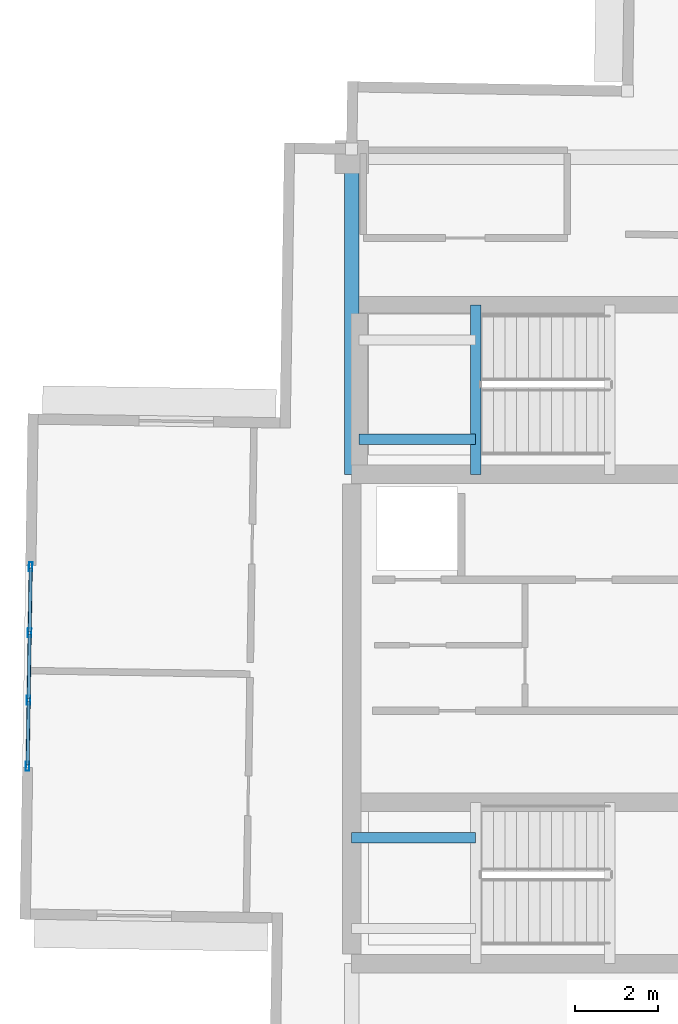
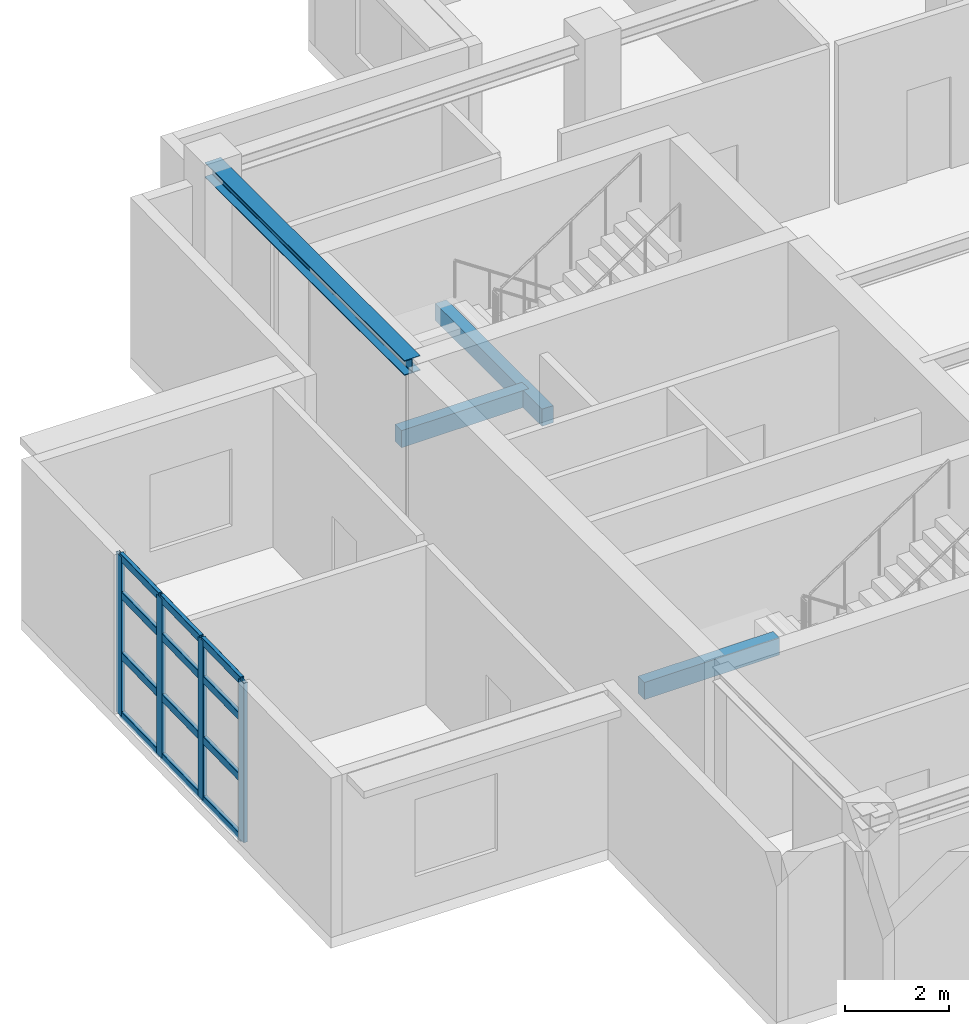
# One storey, part 4 of 15: 16 members, 4 beams, 1 element without a shape of its own.
"""IFC4 building model written with IfcOpenShell, lengths in metres."""

from ifc_helpers import new_model, si_unit, direction, frame, origin, origin_2d, place, context, subcontext, project, spatial, rectangle, hollow_rectangle, i_section, extrude, material, layer, layer_set, material_profile, profile_set, type_object, element, aggregate, save


model = new_model("IFC4")

# Units and contexts
model_context = context("Model", 3, precision=1e-05, world=origin(), true_north=direction((0.0, 1.0)))
body_context = subcontext(model_context, "Body", "Model", "MODEL_VIEW")
ifc_project = project(units=[si_unit("LENGTHUNIT", "METRE"), si_unit("AREAUNIT", "SQUARE_METRE"), si_unit("VOLUMEUNIT", "CUBIC_METRE"), si_unit("PLANEANGLEUNIT", "RADIAN"), si_unit("MASSUNIT", "GRAM", prefix="KILO")], contexts=[model_context])

# Site, building, storey
site_placement = place(None, origin())
site = spatial("IfcSite", under=ifc_project, at=site_placement, CompositionType="ELEMENT")
building_placement = place(site_placement, origin())
building = spatial("IfcBuilding", under=site, at=building_placement, Name="Qingluan Cross Belvedere", CompositionType="ELEMENT")
storey_placement = place(building_placement, frame((0.0, 0.0, 312.89990234375)))
storey = spatial("IfcBuildingStorey", under=building, at=storey_placement, Name="L77", CompositionType="ELEMENT", Elevation=312.89990234375)

# Curtain wall, members
ifc_material_1 = material(Name="Thermally broken aluminium and Low-E glass", Category="aluminium")
ifc_layer = layer(ifc_material_1, 0.219970703125, Name="ObservationCW_BelvedereDeck")
ifc_layer_set = layer_set([ifc_layer], Name="Thermally broken aluminium and Low-E glass")
curtain_wall_type = type_object("IfcCurtainWallType", Name="ObservationCW_BelvedereDeck", PredefinedType="USERDEFINED", material=ifc_layer_set)
curtain_wall_placement = place(storey_placement, origin())
curtain_wall = element("IfcCurtainWall", 1, at=curtain_wall_placement, inside=storey, type_object=curtain_wall_type, Name="ObservationCW_BelvedereDeck run env:cw:L77:W", ObjectType="OBSERVATION GLAZING WALL", PredefinedType="USERDEFINED")
ifc_material_2 = material(Name="Aluminium alloy 6063-T6", Category="aluminium")
ifc_material_profile_1 = material_profile(ifc_material_2, hollow_rectangle(XDim=0.0849609375, YDim=0.219970703125, WallThickness=0.0048828125, InnerFilletRadius=0.0048828125, OuterFilletRadius=0.010009765625, at=origin_2d()), Name="CWM220x85x5")
ifc_profile_set_1 = profile_set([ifc_material_profile_1], Name="Aluminium alloy 6063-T6")
member_type_1 = type_object("IfcMemberType", Name="CWMullion_220", PredefinedType="MULLION", material=ifc_profile_set_1)
member_1_placement = place(storey_placement, frame((-20.1396484375, 2.724609375, 0.0), z_axis=(0.0, 0.0, 1.0), x_axis=(0.999876596737, -0.015709592504, 0.0)))
member_1 = element("IfcMember", 2, at=member_1_placement, type_object=member_type_1, Name="CW-C3 mullion 1", PredefinedType="MULLION", context=body_context, shape_type="SweptSolid", body=[
    extrude(hollow_rectangle(XDim=0.0849609375, YDim=0.219970703125, WallThickness=0.0048828125, InnerFilletRadius=0.0048828125, OuterFilletRadius=0.010009765625, at=origin_2d()), origin(), (0.0, 0.0, 1.0), 3.72998046875),
])
member_2_placement = place(storey_placement, frame((-20.164794921875, 1.12939453125, 0.0), z_axis=(0.0, 0.0, 1.0), x_axis=(0.999876596737, -0.015709592504, 0.0)))
member_2 = element("IfcMember", 3, at=member_2_placement, type_object=member_type_1, Name="CW-C3 mullion 2", PredefinedType="MULLION", context=body_context, shape_type="SweptSolid", body=[
    extrude(hollow_rectangle(XDim=0.0849609375, YDim=0.219970703125, WallThickness=0.0048828125, InnerFilletRadius=0.0048828125, OuterFilletRadius=0.010009765625, at=origin_2d()), origin(), (0.0, 0.0, 1.0), 3.72998046875),
])
member_3_placement = place(storey_placement, frame((-20.190185546875, -0.49560546875, 0.0), z_axis=(0.0, 0.0, 1.0), x_axis=(0.999876596737, -0.015709592504, 0.0)))
member_3 = element("IfcMember", 4, at=member_3_placement, type_object=member_type_1, Name="CW-C3 mullion 3", PredefinedType="MULLION", context=body_context, shape_type="SweptSolid", body=[
    extrude(hollow_rectangle(XDim=0.0849609375, YDim=0.219970703125, WallThickness=0.0048828125, InnerFilletRadius=0.0048828125, OuterFilletRadius=0.010009765625, at=origin_2d()), origin(), (0.0, 0.0, 1.0), 3.72998046875),
])
member_4_placement = place(storey_placement, frame((-20.21533203125, -2.0908203125, 0.0), z_axis=(0.0, 0.0, 1.0), x_axis=(0.999876596737, -0.015709592504, 0.0)))
member_4 = element("IfcMember", 5, at=member_4_placement, type_object=member_type_1, Name="CW-C3 mullion 4", PredefinedType="MULLION", context=body_context, shape_type="SweptSolid", body=[
    extrude(hollow_rectangle(XDim=0.0849609375, YDim=0.219970703125, WallThickness=0.0048828125, InnerFilletRadius=0.0048828125, OuterFilletRadius=0.010009765625, at=origin_2d()), origin(), (0.0, 0.0, 1.0), 3.72998046875),
])
ifc_material_3 = material(Name="Aluminium alloy 6063-T6", Category="aluminium")
ifc_material_profile_2 = material_profile(ifc_material_3, hollow_rectangle(XDim=0.0849609375, YDim=0.179931640625, WallThickness=0.00390625, InnerFilletRadius=0.00390625, OuterFilletRadius=0.008056640625, at=origin_2d()), Name="CWT180x85x4")
ifc_profile_set_2 = profile_set([ifc_material_profile_2], Name="Aluminium alloy 6063-T6")
member_type_2 = type_object("IfcMemberType", Name="CWTransom_180", PredefinedType="USERDEFINED", material=ifc_profile_set_2)
member_5_placement = place(storey_placement, frame((-20.14013671875, 2.694580078125, 0.030029296875), z_axis=(-0.015742323809, -0.999876081943, 0.0), x_axis=(0.999876081943, -0.015742323809, 0.0)))
member_5 = element("IfcMember", 6, at=member_5_placement, type_object=member_type_2, Name="CW-C3 transom 1.1", ObjectType="TRANSOM", PredefinedType="USERDEFINED", context=body_context, shape_type="SweptSolid", body=[
    extrude(hollow_rectangle(XDim=0.0849609375, YDim=0.179931640625, WallThickness=0.00390625, InnerFilletRadius=0.00390625, OuterFilletRadius=0.008056640625, at=origin_2d()), origin(), (0.0, 0.0, 1.0), 1.535400390625),
])
member_6_placement = place(storey_placement, frame((-20.14013671875, 2.694580078125, 1.4169921875), z_axis=(-0.015742323809, -0.999876081943, 0.0), x_axis=(0.999876081943, -0.015742323809, 0.0)))
member_6 = element("IfcMember", 7, at=member_6_placement, type_object=member_type_2, Name="CW-C3 transom 1.2", ObjectType="TRANSOM", PredefinedType="USERDEFINED", context=body_context, shape_type="SweptSolid", body=[
    extrude(hollow_rectangle(XDim=0.0849609375, YDim=0.179931640625, WallThickness=0.00390625, InnerFilletRadius=0.00390625, OuterFilletRadius=0.008056640625, at=origin_2d()), origin(), (0.0, 0.0, 1.0), 1.535400390625),
])
member_7_placement = place(storey_placement, frame((-20.14013671875, 2.694580078125, 2.835205078125), z_axis=(-0.015742323809, -0.999876081943, 0.0), x_axis=(0.999876081943, -0.015742323809, 0.0)))
member_7 = element("IfcMember", 8, at=member_7_placement, type_object=member_type_2, Name="CW-C3 transom 1.3", ObjectType="TRANSOM", PredefinedType="USERDEFINED", context=body_context, shape_type="SweptSolid", body=[
    extrude(hollow_rectangle(XDim=0.0849609375, YDim=0.179931640625, WallThickness=0.00390625, InnerFilletRadius=0.00390625, OuterFilletRadius=0.008056640625, at=origin_2d()), origin(), (0.0, 0.0, 1.0), 1.535400390625),
])
member_8_placement = place(storey_placement, frame((-20.14013671875, 2.694580078125, 3.7001953125), z_axis=(-0.015742323809, -0.999876081943, 0.0), x_axis=(0.999876081943, -0.015742323809, 0.0)))
member_8 = element("IfcMember", 9, at=member_8_placement, type_object=member_type_2, Name="CW-C3 transom 1.4", ObjectType="TRANSOM", PredefinedType="USERDEFINED", context=body_context, shape_type="SweptSolid", body=[
    extrude(hollow_rectangle(XDim=0.0849609375, YDim=0.179931640625, WallThickness=0.00390625, InnerFilletRadius=0.00390625, OuterFilletRadius=0.008056640625, at=origin_2d()), origin(), (0.0, 0.0, 1.0), 1.535400390625),
])
member_9_placement = place(storey_placement, frame((-20.165283203125, 1.099365234375, 0.030029296875), z_axis=(-0.015598725936, -0.999878332473, 0.0), x_axis=(0.999878332473, -0.015598725936, 0.0)))
member_9 = element("IfcMember", 10, at=member_9_placement, type_object=member_type_2, Name="CW-C3 transom 2.1", ObjectType="TRANSOM", PredefinedType="USERDEFINED", context=body_context, shape_type="SweptSolid", body=[
    extrude(hollow_rectangle(XDim=0.0849609375, YDim=0.179931640625, WallThickness=0.00390625, InnerFilletRadius=0.00390625, OuterFilletRadius=0.008056640625, at=origin_2d()), origin(), (0.0, 0.0, 1.0), 1.565185546875),
])
member_10_placement = place(storey_placement, frame((-20.165283203125, 1.099365234375, 1.4169921875), z_axis=(-0.015598725936, -0.999878332473, 0.0), x_axis=(0.999878332473, -0.015598725936, 0.0)))
member_10 = element("IfcMember", 11, at=member_10_placement, type_object=member_type_2, Name="CW-C3 transom 2.2", ObjectType="TRANSOM", PredefinedType="USERDEFINED", context=body_context, shape_type="SweptSolid", body=[
    extrude(hollow_rectangle(XDim=0.0849609375, YDim=0.179931640625, WallThickness=0.00390625, InnerFilletRadius=0.00390625, OuterFilletRadius=0.008056640625, at=origin_2d()), origin(), (0.0, 0.0, 1.0), 1.565185546875),
])
member_11_placement = place(storey_placement, frame((-20.165283203125, 1.099365234375, 2.835205078125), z_axis=(-0.015598725936, -0.999878332473, 0.0), x_axis=(0.999878332473, -0.015598725936, 0.0)))
member_11 = element("IfcMember", 12, at=member_11_placement, type_object=member_type_2, Name="CW-C3 transom 2.3", ObjectType="TRANSOM", PredefinedType="USERDEFINED", context=body_context, shape_type="SweptSolid", body=[
    extrude(hollow_rectangle(XDim=0.0849609375, YDim=0.179931640625, WallThickness=0.00390625, InnerFilletRadius=0.00390625, OuterFilletRadius=0.008056640625, at=origin_2d()), origin(), (0.0, 0.0, 1.0), 1.565185546875),
])
member_12_placement = place(storey_placement, frame((-20.165283203125, 1.099365234375, 3.7001953125), z_axis=(-0.015598725936, -0.999878332473, 0.0), x_axis=(0.999878332473, -0.015598725936, 0.0)))
member_12 = element("IfcMember", 13, at=member_12_placement, type_object=member_type_2, Name="CW-C3 transom 2.4", ObjectType="TRANSOM", PredefinedType="USERDEFINED", context=body_context, shape_type="SweptSolid", body=[
    extrude(hollow_rectangle(XDim=0.0849609375, YDim=0.179931640625, WallThickness=0.00390625, InnerFilletRadius=0.00390625, OuterFilletRadius=0.008056640625, at=origin_2d()), origin(), (0.0, 0.0, 1.0), 1.565185546875),
])
member_13_placement = place(storey_placement, frame((-20.190673828125, -0.525634765625, 0.030029296875), z_axis=(-0.015742323809, -0.999876081943, 0.0), x_axis=(0.999876081943, -0.015742323809, 0.0)))
member_13 = element("IfcMember", 14, at=member_13_placement, type_object=member_type_2, Name="CW-C3 transom 3.1", ObjectType="TRANSOM", PredefinedType="USERDEFINED", context=body_context, shape_type="SweptSolid", body=[
    extrude(hollow_rectangle(XDim=0.0849609375, YDim=0.179931640625, WallThickness=0.00390625, InnerFilletRadius=0.00390625, OuterFilletRadius=0.008056640625, at=origin_2d()), origin(), (0.0, 0.0, 1.0), 1.535400390625),
])
member_14_placement = place(storey_placement, frame((-20.190673828125, -0.525634765625, 1.4169921875), z_axis=(-0.015742323809, -0.999876081943, 0.0), x_axis=(0.999876081943, -0.015742323809, 0.0)))
member_14 = element("IfcMember", 15, at=member_14_placement, type_object=member_type_2, Name="CW-C3 transom 3.2", ObjectType="TRANSOM", PredefinedType="USERDEFINED", context=body_context, shape_type="SweptSolid", body=[
    extrude(hollow_rectangle(XDim=0.0849609375, YDim=0.179931640625, WallThickness=0.00390625, InnerFilletRadius=0.00390625, OuterFilletRadius=0.008056640625, at=origin_2d()), origin(), (0.0, 0.0, 1.0), 1.535400390625),
])
member_15_placement = place(storey_placement, frame((-20.190673828125, -0.525634765625, 2.835205078125), z_axis=(-0.015742323809, -0.999876081943, 0.0), x_axis=(0.999876081943, -0.015742323809, 0.0)))
member_15 = element("IfcMember", 16, at=member_15_placement, type_object=member_type_2, Name="CW-C3 transom 3.3", ObjectType="TRANSOM", PredefinedType="USERDEFINED", context=body_context, shape_type="SweptSolid", body=[
    extrude(hollow_rectangle(XDim=0.0849609375, YDim=0.179931640625, WallThickness=0.00390625, InnerFilletRadius=0.00390625, OuterFilletRadius=0.008056640625, at=origin_2d()), origin(), (0.0, 0.0, 1.0), 1.535400390625),
])
member_16_placement = place(storey_placement, frame((-20.190673828125, -0.525634765625, 3.7001953125), z_axis=(-0.015742323809, -0.999876081943, 0.0), x_axis=(0.999876081943, -0.015742323809, 0.0)))
member_16 = element("IfcMember", 17, at=member_16_placement, type_object=member_type_2, Name="CW-C3 transom 3.4", ObjectType="TRANSOM", PredefinedType="USERDEFINED", context=body_context, shape_type="SweptSolid", body=[
    extrude(hollow_rectangle(XDim=0.0849609375, YDim=0.179931640625, WallThickness=0.00390625, InnerFilletRadius=0.00390625, OuterFilletRadius=0.008056640625, at=origin_2d()), origin(), (0.0, 0.0, 1.0), 1.535400390625),
])
aggregate(curtain_wall, [member_1, member_2, member_3, member_4, member_5, member_6, member_7, member_8, member_9, member_10, member_11, member_12, member_13, member_14, member_15, member_16])

# Beams
ifc_material_4 = material(Name="Concrete C45", Category="concrete")
ifc_material_profile_3 = material_profile(ifc_material_4, rectangle(XDim=0.25, YDim=0.39990234375, at=origin_2d()), Name="RC250x400")
ifc_profile_set_3 = profile_set([ifc_material_profile_3], Name="Concrete C45")
beam_type_1 = type_object("IfcBeamType", Name="RC_Lintel_RC250x400", PredefinedType="LINTEL", material=ifc_profile_set_3)
beam_1_placement = place(storey_placement, frame((-12.39990234375, -3.81005859375, 1.85009765625), z_axis=(1.0, 0.0, 0.0), x_axis=(0.0, 1.0, 0.0)))
element("IfcBeam", 18, at=beam_1_placement, inside=storey, type_object=beam_type_1, Name="Stair ST1 beam C L77", PredefinedType="LINTEL", context=body_context, shape_type="SweptSolid", body=[
    extrude(rectangle(XDim=0.25, YDim=0.39990234375, at=origin_2d()), origin(), (0.0, 0.0, 1.0), 2.989990234375),
])
beam_2_placement = place(storey_placement, frame((-9.409912109375, 4.949951171875, 1.85009765625), z_axis=(0.0, 1.0, 0.0), x_axis=(-1.0, 0.0, 0.0)))
element("IfcBeam", 19, at=beam_2_placement, inside=storey, type_object=beam_type_1, Name="Stair ST3 beam A L77", PredefinedType="LINTEL", context=body_context, shape_type="SweptSolid", body=[
    extrude(rectangle(XDim=0.25, YDim=0.39990234375, at=origin_2d()), origin(), (0.0, 0.0, 1.0), 4.090087890625),
])
beam_3_placement = place(storey_placement, frame((-12.219970703125, 5.800048828125, 1.85009765625), z_axis=(1.0, 0.0, 0.0), x_axis=(0.0, 1.0, 0.0)))
element("IfcBeam", 20, at=beam_3_placement, inside=storey, type_object=beam_type_1, Name="Stair ST3 beam B L77", PredefinedType="LINTEL", context=body_context, shape_type="SweptSolid", body=[
    extrude(rectangle(XDim=0.25, YDim=0.39990234375, at=origin_2d()), origin(), (0.0, 0.0, 1.0), 2.81005859375),
])
ifc_material_5 = material(Name="Steel Q420GJB", Category="steel")
ifc_material_profile_4 = material_profile(ifc_material_5, i_section(OverallWidth=0.35009765625, OverallDepth=0.35009765625, WebThickness=0.011962890625, FlangeThickness=0.01904296875, FilletRadius=0.02001953125, at=origin_2d()), Name="HW350x350x12x19")
ifc_profile_set_4 = profile_set([ifc_material_profile_4], Name="Steel Q420GJB")
beam_type_2 = type_object("IfcBeamType", Name="Steel_Girder_HW350x350x12x19", PredefinedType="USERDEFINED", material=ifc_profile_set_4)
beam_4_placement = place(storey_placement, frame((-12.39990234375, 4.949951171875, 4.0751953125), z_axis=(0.0, 1.0, 0.0), x_axis=(-1.0, 0.0, 0.0)))
element("IfcBeam", 21, at=beam_4_placement, inside=storey, type_object=beam_type_2, Name="Hub girder L77-HG-W2", ObjectType="GIRDER", PredefinedType="USERDEFINED", context=body_context, shape_type="SweptSolid", body=[
    extrude(i_section(OverallWidth=0.35009765625, OverallDepth=0.35009765625, WebThickness=0.011962890625, FlangeThickness=0.01904296875, FilletRadius=0.02001953125, at=origin_2d()), origin(), (0.0, 0.0, 1.0), 7.650146484375),
])

save(model, "model.ifc")
